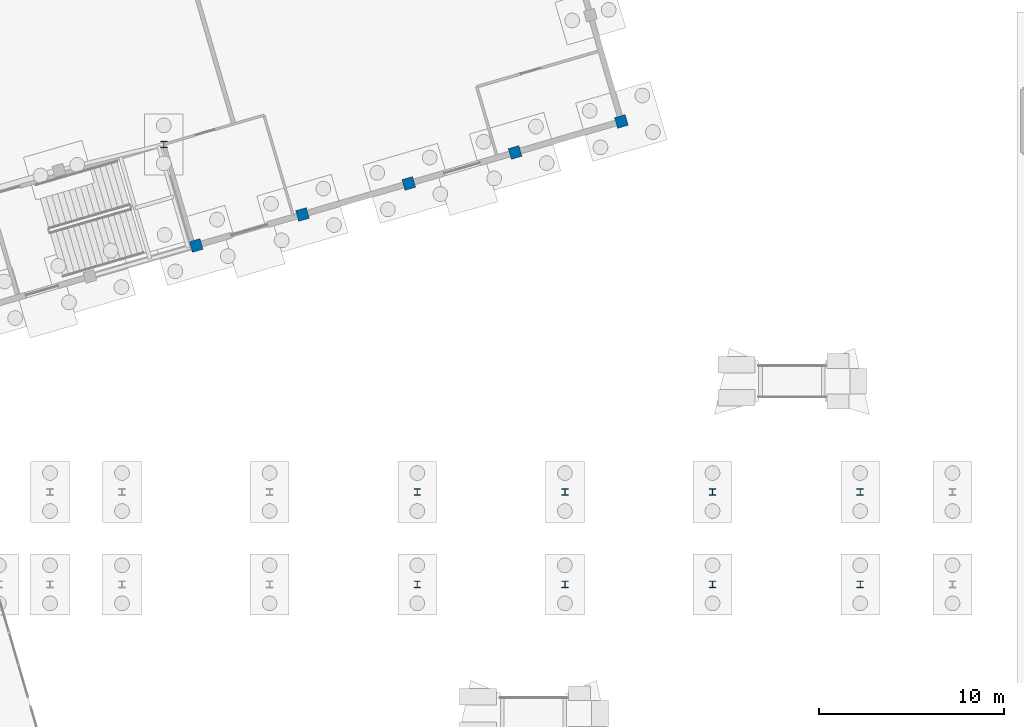
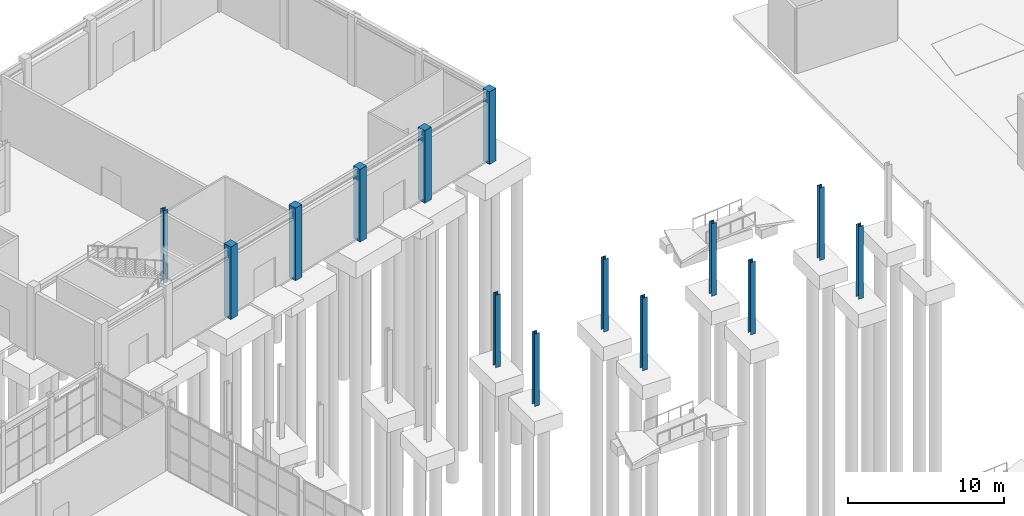
# One storey, part 14 of 90: 14 columns.
"""IFC4 building model written with IfcOpenShell, lengths in metres."""

import ifcopenshell
import ifcopenshell.guid

model = None  # the IFC model being written
_history = None  # IfcOwnerHistory: only IFC2X3 demands one
_inside = {}  # id of a spatial element -> (the spatial element, [elements in it])
_under = {}  # id of a project, library or spatial element -> (it, [spatial elements below it])
_declared = {}  # id of a project -> (the project, [libraries it declares])
_typed = {}  # id of a type object -> (the type object, [elements of that type])
_made_of = {}  # id of a material, layer set ... -> (it, [elements and type objects made of it])


def new_model(schema):
    """Start an empty IFC model of exactly this schema.

    Asked for "IFC4X3", IfcOpenShell would pick the latest addendum, in which some entities
    have other attributes; the version numbers below select the first issue.
    IFC2X3 requires an IfcOwnerHistory on every rooted entity: one is made here for all.
    """
    global model, _history
    if schema == "IFC4X3":
        model = ifcopenshell.file(schema_version=(4, 3, 0, 0))
    else:
        model = ifcopenshell.file(schema=schema)
    _inside.clear()
    _under.clear()
    _declared.clear()
    _typed.clear()
    _made_of.clear()
    _history = None
    if model.schema == "IFC2X3":
        org = make("IfcOrganization", Name="unknown")
        user = make(
            "IfcPersonAndOrganization",
            ThePerson=make("IfcPerson", FamilyName="unknown"),
            TheOrganization=org,
        )
        app = make(
            "IfcApplication",
            ApplicationDeveloper=org,
            Version="unknown",
            ApplicationFullName="unknown",
            ApplicationIdentifier="unknown",
        )
        _history = make(
            "IfcOwnerHistory",
            OwningUser=user,
            OwningApplication=app,
            ChangeAction="ADDED",
            CreationDate=0,
        )
    return model


def make(cls, **values):
    """One entity of the class cls with the attributes given. An attribute that is None is left unset."""
    return model.create_entity(
        cls, **{name: value for name, value in values.items() if value is not None}
    )


def rooted(cls, **values):
    """An entity with a GlobalId (a new one), such as an element, a storey or a relation."""
    return make(cls, GlobalId=ifcopenshell.guid.new(), OwnerHistory=_history, **values)


def si_unit(unit_type, name, prefix=None):
    """IfcSIUnit, for example si_unit("LENGTHUNIT", "METRE", prefix="MILLI")."""
    return make("IfcSIUnit", UnitType=unit_type, Prefix=prefix, Name=name)


def assignment(units):
    """IfcUnitAssignment: the units of a project."""
    return None if units is None else make("IfcUnitAssignment", Units=units)


def point(xyz):
    """IfcCartesianPoint."""
    return None if xyz is None else make("IfcCartesianPoint", Coordinates=xyz)


def direction(xyz):
    """IfcDirection."""
    return None if xyz is None else make("IfcDirection", DirectionRatios=xyz)


def frame(location, z_axis=None, x_axis=None):
    """IfcAxis2Placement3D, a coordinate frame: its origin and axes. An axis left out is left unset."""
    return make(
        "IfcAxis2Placement3D",
        Location=point(location),
        Axis=direction(z_axis),
        RefDirection=direction(x_axis),
    )


def frame_2d(location, x_axis=None):
    """IfcAxis2Placement2D, a coordinate frame in the plane: its origin and x axis."""
    return make(
        "IfcAxis2Placement2D", Location=point(location), RefDirection=direction(x_axis)
    )


def origin():
    """The frame at (0, 0, 0) with its axes left unset."""
    return frame((0.0, 0.0, 0.0))


def origin_2d():
    """The frame at (0, 0) in the plane with its x axis left unset."""
    return frame_2d((0.0, 0.0))


def place(relative_to, where):
    """IfcLocalPlacement: puts the frame where relative to a parent placement (None: the world)."""
    return make(
        "IfcLocalPlacement", PlacementRelTo=relative_to, RelativePlacement=where
    )


def context(
    kind, dimensions, precision=None, world=None, true_north=None, identifier=None
):
    """IfcGeometricRepresentationContext, for example the 3D "Model" context."""
    return make(
        "IfcGeometricRepresentationContext",
        ContextIdentifier=identifier,
        ContextType=kind,
        CoordinateSpaceDimension=dimensions,
        Precision=precision,
        WorldCoordinateSystem=world,
        TrueNorth=true_north,
    )


def subcontext(parent, identifier, kind, view, scale=None):
    """IfcGeometricRepresentationSubContext, for example "Body" below "Model"."""
    return make(
        "IfcGeometricRepresentationSubContext",
        ContextIdentifier=identifier,
        ContextType=kind,
        ParentContext=parent,
        TargetScale=scale,
        TargetView=view,
    )


def project(units=None, contexts=None):
    """IfcProject with its units and contexts."""
    return rooted(
        "IfcProject",
        Name="project",
        RepresentationContexts=contexts,
        UnitsInContext=assignment(units),
    )


def spatial(cls, under=None, at=None, **own):
    """A site, building, storey or space (cls), placed at a placement, below another one or the project."""
    s = rooted(cls, ObjectPlacement=at, **own)
    if under is not None:
        _under.setdefault(under.id(), (under, []))[1].append(s)
    return s


def profile(cls, at=None, kind="AREA", **sizes):
    """A parametric profile (cls). Its sizes go by their IFC names, for example OverallWidth=200.0."""
    return make(cls, ProfileType=kind, Position=at, **sizes)


def rectangle(**sizes):
    """IfcRectangleProfileDef."""
    return profile("IfcRectangleProfileDef", **sizes)


def i_section(**sizes):
    """IfcIShapeProfileDef."""
    return profile("IfcIShapeProfileDef", **sizes)


def extrude(swept, where, along, depth):
    """IfcExtrudedAreaSolid: the profile swept, set in the frame where, extruded along a direction by depth."""
    return make(
        "IfcExtrudedAreaSolid",
        SweptArea=swept,
        Position=where,
        ExtrudedDirection=direction(along),
        Depth=depth,
    )


def shape(context_of_items, identifier, shape_type, items):
    """IfcShapeRepresentation: the items that make up one representation, for example the "Body"."""
    return make(
        "IfcShapeRepresentation",
        ContextOfItems=context_of_items,
        RepresentationIdentifier=identifier,
        RepresentationType=shape_type,
        Items=items,
    )


def material(Name=None, Category=None):
    """IfcMaterial."""
    return make("IfcMaterial", Name=Name, Category=Category)


def material_profile(
    of_material, cross_section, Name=None, Category=None, Priority=None
):
    """IfcMaterialProfile: a cross section and its material."""
    return make(
        "IfcMaterialProfile",
        Name=Name,
        Material=of_material,
        Profile=cross_section,
        Priority=Priority,
        Category=Category,
    )


def profile_set(profiles, Name=None, composite=None):
    """IfcMaterialProfileSet."""
    return make(
        "IfcMaterialProfileSet",
        Name=Name,
        MaterialProfiles=profiles,
        CompositeProfile=composite,
    )


def made_of(thing, what):
    """Note that an element or type object is made of a material, layer set ...; save() writes the relation."""
    if what is not None:
        _made_of.setdefault(what.id(), (what, []))[1].append(thing)
    return thing


def type_object(cls, material=None, **own):
    """A type object (cls), such as IfcWallType, which elements share."""
    return made_of(rooted(cls, **own), material)


def element(
    cls,
    number,
    at=None,
    inside=None,
    cuts=None,
    type_object=None,
    material=None,
    context=None,
    identifier="Body",
    shape_type=None,
    held_by="IfcProductDefinitionShape",
    body=None,
    shapes=None,
    **own,
):
    """One element of the class cls, such as IfcWall. Its Tag is "e" and its number.

    at: its placement. inside: the storey or other place that contains it. cuts: it is an
    opening in that element (IfcRelVoidsElement). A single representation is given by context,
    identifier, shape_type and body (its items); several are given by shapes. held_by: the class
    of the entity that holds the representations. save() writes the other relations.
    """
    e = rooted(cls, Tag="e%d" % number, ObjectPlacement=at, **own)
    if body is not None:
        shapes = [shape(context, identifier, shape_type, body)]
    if shapes is not None:
        e.Representation = make(held_by, Representations=shapes)
    if inside is not None:
        _inside.setdefault(inside.id(), (inside, []))[1].append(e)
    if cuts is not None:
        rooted(
            "IfcRelVoidsElement", RelatingBuildingElement=cuts, RelatedOpeningElement=e
        )
    if type_object is not None:
        _typed.setdefault(type_object.id(), (type_object, []))[1].append(e)
    return made_of(e, material)


def aggregate(whole, parts):
    """IfcRelAggregates: a whole, such as a stair, and the parts it consists of."""
    return rooted("IfcRelAggregates", RelatingObject=whole, RelatedObjects=parts)


def save(model, path):
    """Write the relations noted so far, then the file.

    IfcRelAggregates (storeys below a building ...), IfcRelContainedInSpatialStructure (elements
    in a storey), IfcRelDefinesByType, IfcRelAssociatesMaterial and IfcRelDeclares: one each for
    every whole, place, type object, material and project.
    """
    for whole, parts in _under.values():
        aggregate(whole, parts)
    for where, things in _inside.values():
        rooted(
            "IfcRelContainedInSpatialStructure",
            RelatedElements=things,
            RelatingStructure=where,
        )
    for kind, things in _typed.values():
        rooted("IfcRelDefinesByType", RelatedObjects=things, RelatingType=kind)
    for what, things in _made_of.values():
        rooted("IfcRelAssociatesMaterial", RelatedObjects=things, RelatingMaterial=what)
    for by, libraries in _declared.values():
        rooted("IfcRelDeclares", RelatingContext=by, RelatedDefinitions=libraries)
    model.write(path)


model = new_model("IFC4")

# Units and contexts
model_context = context("Model", 3, precision=1e-05, world=origin(), true_north=direction((0.0, 1.0)))
body_context = subcontext(model_context, "Body", "Model", "MODEL_VIEW")
ifc_project = project(units=[si_unit("LENGTHUNIT", "METRE"), si_unit("AREAUNIT", "SQUARE_METRE"), si_unit("VOLUMEUNIT", "CUBIC_METRE"), si_unit("PLANEANGLEUNIT", "RADIAN"), si_unit("MASSUNIT", "GRAM", prefix="KILO")], contexts=[model_context])

# Site, building, storey
site_placement = place(None, origin())
site = spatial("IfcSite", under=ifc_project, at=site_placement, CompositionType="ELEMENT")
building_placement = place(site_placement, origin())
building = spatial("IfcBuilding", under=site, at=building_placement, Name="Canggui Botanical Conservatory", CompositionType="ELEMENT")
storey_placement = place(building_placement, origin())
storey = spatial("IfcBuildingStorey", under=building, at=storey_placement, Name="L01", CompositionType="ELEMENT", Elevation=0.0)

# Columns
ifc_material_1 = material(Name="Steel Q355B", Category="steel")
ifc_material_profile_1 = material_profile(ifc_material_1, i_section(OverallWidth=0.35009765625, OverallDepth=0.35009765625, WebThickness=0.011962890625, FlangeThickness=0.01904296875, FilletRadius=0.02001953125, at=origin_2d()), Name="HW 350x350x12x19")
ifc_profile_set_1 = profile_set([ifc_material_profile_1], Name="Steel Q355B")
column_type_1 = type_object("IfcColumnType", Name="COL-GZ04", PredefinedType="COLUMN", material=ifc_profile_set_1)
for number, where, z_axis, x_axis, name in (
    (1, (89.5, 75.0, -0.280029296875), (0.0, 0.0, 1.0), (1.0, 0.0, 0.0), "Skybridge Portal Steel Column (89.5,75)"),
    (2, (89.5, 80.0, -0.280029296875), (0.0, 0.0, 1.0), (1.0, 0.0, 0.0), "Skybridge Portal Steel Column (89.5,80)"),
    (3, (97.5, 75.0, -0.280029296875), (0.0, 0.0, 1.0), (1.0, 0.0, 0.0), "Skybridge Portal Steel Column (97.5,75)"),
    (4, (97.5, 80.0, -0.280029296875), (0.0, 0.0, 1.0), (1.0, 0.0, 0.0), "Skybridge Portal Steel Column (97.5,80)"),
    (5, (105.5, 75.0, -0.280029296875), (0.0, 0.0, 1.0), (1.0, 0.0, 0.0), "Skybridge Portal Steel Column (105.5,75)"),
    (6, (105.5, 80.0, -0.280029296875), (0.0, 0.0, 1.0), (1.0, 0.0, 0.0), "Skybridge Portal Steel Column (105.5,80)"),
    (7, (113.5, 75.0, -0.280029296875), (0.0, 0.0, 1.0), (1.0, 0.0, 0.0), "Skybridge Portal Steel Column (113.5,75)"),
    (8, (113.5, 80.0, -0.280029296875), (0.0, 0.0, 1.0), (1.0, 0.0, 0.0), "Skybridge Portal Steel Column (113.5,80)"),
    (9, (75.76611328125, 98.837890625, -0.280029296875), (0.0, 0.0, 1.0), (1.0, 0.0, 0.0), "Skybridge Portal Steel Column (75.766,98.838)"),
):
    element("IfcColumn", number, at=place(storey_placement, frame(where, z_axis=z_axis, x_axis=x_axis)), inside=storey, type_object=column_type_1, Name=name, PredefinedType="COLUMN", context=body_context, shape_type="SweptSolid", body=[
        extrude(i_section(OverallWidth=0.35009765625, OverallDepth=0.35009765625, WebThickness=0.011962890625, FlangeThickness=0.01904296875, FilletRadius=0.02001953125, at=origin_2d()), origin(), (0.0, 0.0, 1.0), 5.679931640625),
    ])
ifc_material_2 = material(Name="Concrete C35", Category="concrete")
ifc_material_profile_2 = material_profile(ifc_material_2, rectangle(XDim=0.60009765625, YDim=0.60009765625, at=origin_2d()), Name="RC 600x600")
ifc_profile_set_2 = profile_set([ifc_material_profile_2], Name="Concrete C35")
column_type_2 = type_object("IfcColumnType", Name="COL-KZ11", PredefinedType="COLUMN", material=ifc_profile_set_2)
for number, where, z_axis, x_axis, name in (
    (10, (77.52001953125, 93.360107421875, -0.280029296875), (0.0, 0.0, 1.0), (0.960000000041, 0.279999999861, 0.0), "Auditorium Column L01-05"),
    (11, (83.280029296875, 95.0400390625, -0.280029296875), (0.0, 0.0, 1.0), (0.960000000041, 0.279999999861, 0.0), "Auditorium Column L01-07"),
    (12, (89.0400390625, 96.719970703125, -0.280029296875), (0.0, 0.0, 1.0), (0.960000000041, 0.279999999861, 0.0), "Auditorium Column L01-09"),
    (13, (94.800048828125, 98.39990234375, -0.280029296875), (0.0, 0.0, 1.0), (0.960000000041, 0.279999999861, 0.0), "Auditorium Column L01-11"),
    (14, (100.56005859375, 100.080078125, -0.280029296875), (0.0, 0.0, 1.0), (0.960000000041, 0.279999999861, 0.0), "Auditorium Column L01-13"),
):
    element("IfcColumn", number, at=place(storey_placement, frame(where, z_axis=z_axis, x_axis=x_axis)), inside=storey, type_object=column_type_2, Name=name, PredefinedType="COLUMN", context=body_context, shape_type="SweptSolid", body=[
        extrude(rectangle(XDim=0.60009765625, YDim=0.60009765625, at=origin_2d()), origin(), (0.0, 0.0, 1.0), 5.679931640625),
    ])

save(model, "model.ifc")
